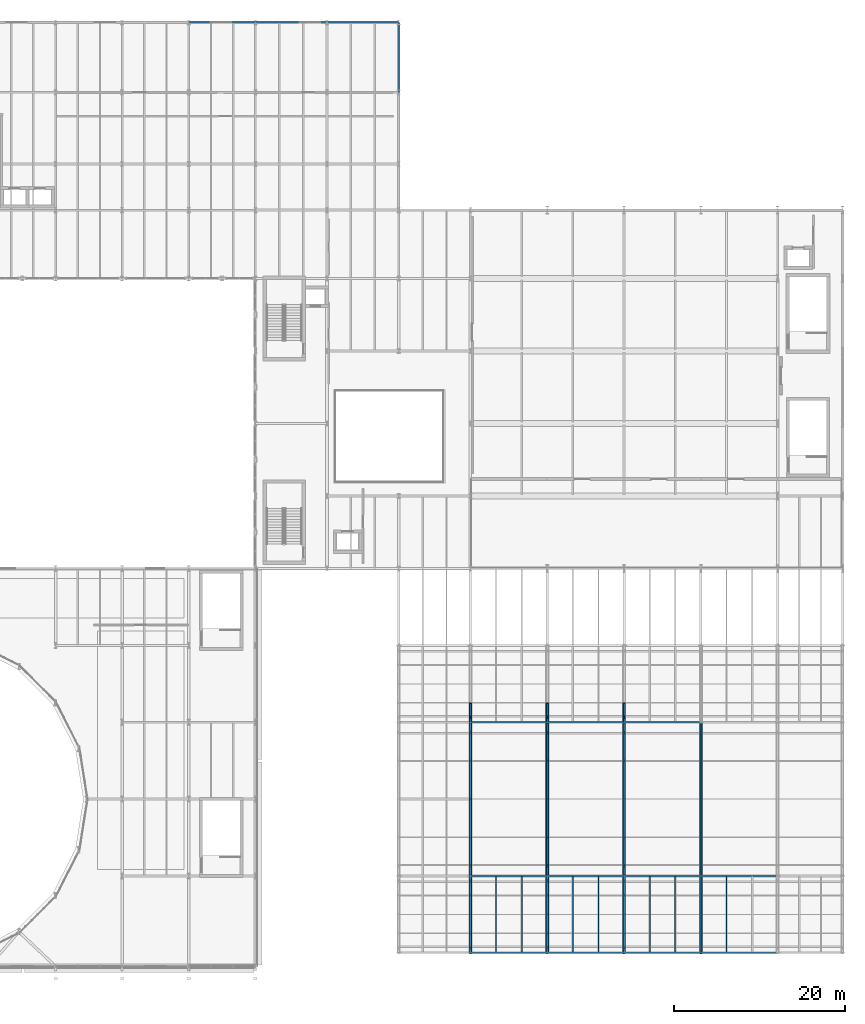
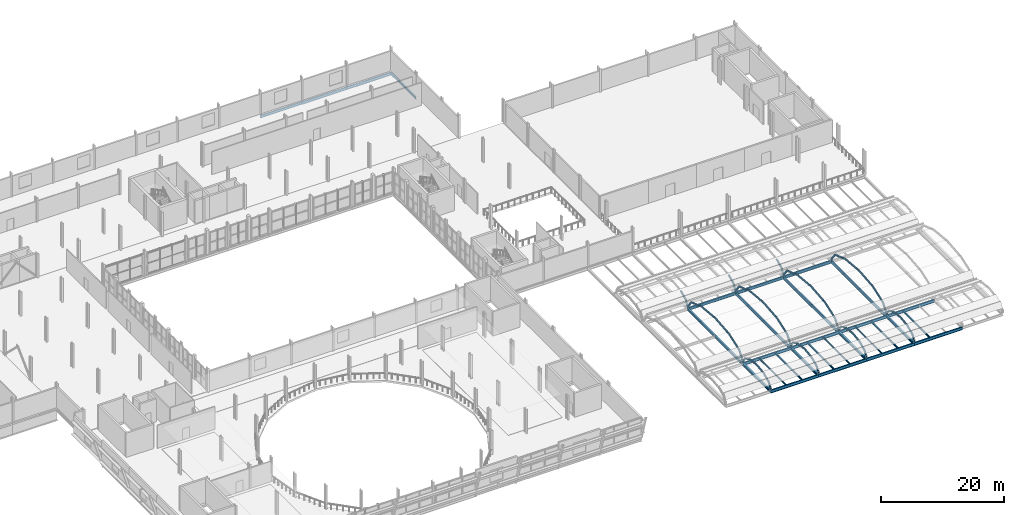
# One storey, part 33 of 63: 54 members, 31 beams.
"""IFC4 building model written with IfcOpenShell, lengths in metres."""

from ifc_helpers import new_model, si_unit, direction, frame, origin, origin_2d, place, context, subcontext, project, spatial, hollow_circle, i_section, extrude, material, material_profile, profile_set, type_object, element, save


model = new_model("IFC4")

# Units and contexts
model_context = context("Model", 3, precision=1e-05, world=origin(), true_north=direction((0.0, 1.0)))
body_context = subcontext(model_context, "Body", "Model", "MODEL_VIEW")
ifc_project = project(units=[si_unit("LENGTHUNIT", "METRE"), si_unit("AREAUNIT", "SQUARE_METRE"), si_unit("VOLUMEUNIT", "CUBIC_METRE"), si_unit("PLANEANGLEUNIT", "RADIAN"), si_unit("MASSUNIT", "GRAM", prefix="KILO")], contexts=[model_context])

# Site, building, storey
site_placement = place(None, origin())
site = spatial("IfcSite", under=ifc_project, at=site_placement, CompositionType="ELEMENT")
building_placement = place(site_placement, origin())
building = spatial("IfcBuilding", under=site, at=building_placement, Name="Sefraquen Railside Congress Hotel", CompositionType="ELEMENT")
storey_placement = place(building_placement, frame((0.0, 0.0, 11.39990234375)))
storey = spatial("IfcBuildingStorey", under=building, at=storey_placement, Name="L02", CompositionType="ELEMENT", Elevation=11.39990234375)

# Beams
ifc_material_1 = material(Name="Steel S355JR", Category="steel")
ifc_material_profile_1 = material_profile(ifc_material_1, i_section(OverallWidth=0.18994140625, OverallDepth=0.449951171875, WebThickness=0.009521484375, FlangeThickness=0.0146484375, FilletRadius=0.02099609375, at=origin_2d()), Name="IPE 450")
ifc_profile_set_1 = profile_set([ifc_material_profile_1], Name="Steel S355JR")
beam_type_1 = type_object("IfcBeamType", Name="TB-BM-450", PredefinedType="BEAM", material=ifc_profile_set_1)
beam_1_placement = place(storey_placement, frame((120.0, 109.800048828125, -0.574951171875), z_axis=(0.0, 1.0, 0.0), x_axis=(-1.0, 0.0, 0.0)))
element("IfcBeam", 1, at=beam_1_placement, inside=storey, type_object=beam_type_1, Name="Floor beam BM-L02-0953", PredefinedType="BEAM", context=body_context, shape_type="SweptSolid", body=[
    extrude(i_section(OverallWidth=0.18994140625, OverallDepth=0.449951171875, WebThickness=0.009521484375, FlangeThickness=0.0146484375, FilletRadius=0.02099609375, at=origin_2d()), origin(), (0.0, 0.0, 1.0), 8.199951171875),
])
ifc_material_profile_2 = material_profile(ifc_material_1, i_section(OverallWidth=0.199951171875, OverallDepth=0.5, WebThickness=0.01025390625, FlangeThickness=0.01611328125, FilletRadius=0.02099609375, at=origin_2d()), Name="IPE 500")
ifc_profile_set_2 = profile_set([ifc_material_profile_2], Name="Steel S355JR")
beam_type_2 = type_object("IfcBeamType", Name="TB-BM-500", PredefinedType="BEAM", material=ifc_profile_set_2)
beam_2_placement = place(storey_placement, frame((95.39990234375, 118.0, -0.599853515625), z_axis=(1.0, 0.0, 0.0), x_axis=(0.0, 1.0, 0.0)))
element("IfcBeam", 2, at=beam_2_placement, inside=storey, type_object=beam_type_2, Name="Primary girder BM-L02-0830", PredefinedType="BEAM", context=body_context, shape_type="SweptSolid", body=[
    extrude(i_section(OverallWidth=0.199951171875, OverallDepth=0.5, WebThickness=0.01025390625, FlangeThickness=0.01611328125, FilletRadius=0.02099609375, at=origin_2d()), origin(), (0.0, 0.0, 1.0), 7.800048828125),
])
ifc_material_profile_3 = material_profile(ifc_material_1, i_section(OverallWidth=0.300048828125, OverallDepth=0.489990234375, WebThickness=0.011962890625, FlangeThickness=0.02294921875, FilletRadius=0.027099609375, at=origin_2d()), Name="HEA 500")
ifc_profile_set_3 = profile_set([ifc_material_profile_3], Name="Steel S355JR")
beam_type_3 = type_object("IfcBeamType", Name="TB-GIR-500", PredefinedType="T_BEAM", material=ifc_profile_set_3)
for number, where, z_axis, x_axis, name in (
    (3, (128.39990234375, 9.0, -0.594970703125), (0.0, 1.0, 0.0), (-1.0, 0.0, 0.0), "Floor beam BM-L02-0954"),
    (4, (128.39990234375, 18.0, -0.594970703125), (0.0, 1.0, 0.0), (-1.0, 0.0, 0.0), "Floor beam BM-L02-0955"),
    (5, (128.39990234375, 27.0, -0.594970703125), (0.0, 1.0, 0.0), (-1.0, 0.0, 0.0), "Floor beam BM-L02-0956"),
    (6, (137.39990234375, 9.0, -0.594970703125), (0.0, 1.0, 0.0), (-1.0, 0.0, 0.0), "Floor beam BM-L02-0964"),
    (7, (146.39990234375, 9.0, -0.594970703125), (0.0, 1.0, 0.0), (-1.0, 0.0, 0.0), "Floor beam BM-L02-0968"),
    (8, (155.39990234375, 9.0, -0.594970703125), (0.0, 1.0, 0.0), (-1.0, 0.0, 0.0), "Floor beam BM-L02-0972"),
):
    element("IfcBeam", number, at=place(storey_placement, frame(where, z_axis=z_axis, x_axis=x_axis)), inside=storey, type_object=beam_type_3, Name=name, PredefinedType="T_BEAM", context=body_context, shape_type="SweptSolid", body=[
        extrude(i_section(OverallWidth=0.300048828125, OverallDepth=0.489990234375, WebThickness=0.011962890625, FlangeThickness=0.02294921875, FilletRadius=0.027099609375, at=origin_2d()), origin(), (0.0, 0.0, 1.0), 9.0),
    ])
ifc_material_profile_4 = material_profile(ifc_material_1, i_section(OverallWidth=0.2099609375, OverallDepth=0.550048828125, WebThickness=0.010986328125, FlangeThickness=0.01708984375, FilletRadius=0.02392578125, at=origin_2d()), Name="IPE 550")
ifc_profile_set_4 = profile_set([ifc_material_profile_4], Name="Steel S355JR")
beam_type_4 = type_object("IfcBeamType", Name="TB-GIR-550", PredefinedType="T_BEAM", material=ifc_profile_set_4)
beam_3_placement = place(storey_placement, frame((103.199951171875, 118.0, -0.625), z_axis=(1.0, 0.0, 0.0), x_axis=(0.0, 1.0, 0.0)))
element("IfcBeam", 9, at=beam_3_placement, inside=storey, type_object=beam_type_4, Name="Primary girder BM-L02-0831", PredefinedType="T_BEAM", context=body_context, shape_type="SweptSolid", body=[
    extrude(i_section(OverallWidth=0.2099609375, OverallDepth=0.550048828125, WebThickness=0.010986328125, FlangeThickness=0.01708984375, FilletRadius=0.02392578125, at=origin_2d()), origin(), (0.0, 0.0, 1.0), 8.400146484375),
])
beam_4_placement = place(storey_placement, frame((111.60009765625, 118.0, -0.625), z_axis=(1.0, 0.0, 0.0), x_axis=(0.0, 1.0, 0.0)))
element("IfcBeam", 10, at=beam_4_placement, inside=storey, type_object=beam_type_4, Name="Primary girder BM-L02-0832", PredefinedType="T_BEAM", context=body_context, shape_type="SweptSolid", body=[
    extrude(i_section(OverallWidth=0.2099609375, OverallDepth=0.550048828125, WebThickness=0.010986328125, FlangeThickness=0.01708984375, FilletRadius=0.02392578125, at=origin_2d()), origin(), (0.0, 0.0, 1.0), 8.39990234375),
])
ifc_material_profile_5 = material_profile(ifc_material_1, i_section(OverallWidth=0.219970703125, OverallDepth=0.60009765625, WebThickness=0.011962890625, FlangeThickness=0.01904296875, FilletRadius=0.02392578125, at=origin_2d()), Name="IPE 600")
ifc_profile_set_5 = profile_set([ifc_material_profile_5], Name="Steel S355JR")
beam_type_5 = type_object("IfcBeamType", Name="TB-GIR-600", PredefinedType="T_BEAM", material=ifc_profile_set_5)
for number, where, z_axis, x_axis, name in (
    (11, (128.39990234375, 9.0, -0.64990234375), (1.0, 0.0, 0.0), (0.0, 1.0, 0.0), "Thermal Spa vault tension ring girder BM-L02-0676"),
    (12, (137.39990234375, 9.0, -0.64990234375), (1.0, 0.0, 0.0), (0.0, 1.0, 0.0), "Thermal Spa vault tension ring girder BM-L02-0677"),
    (13, (146.39990234375, 9.0, -0.64990234375), (1.0, 0.0, 0.0), (0.0, 1.0, 0.0), "Thermal Spa vault tension ring girder BM-L02-0678"),
    (14, (155.39990234375, 9.0, -0.64990234375), (1.0, 0.0, 0.0), (0.0, 1.0, 0.0), "Thermal Spa vault tension ring girder BM-L02-0679"),
    (15, (128.39990234375, 18.0, -0.64990234375), (1.0, 0.0, 0.0), (0.0, 1.0, 0.0), "Thermal Spa vault tension ring girder BM-L02-0685"),
    (16, (137.39990234375, 18.0, -0.64990234375), (1.0, 0.0, 0.0), (0.0, 1.0, 0.0), "Thermal Spa vault tension ring girder BM-L02-0686"),
    (17, (146.39990234375, 18.0, -0.64990234375), (1.0, 0.0, 0.0), (0.0, 1.0, 0.0), "Thermal Spa vault tension ring girder BM-L02-0687"),
    (18, (155.39990234375, 18.0, -0.64990234375), (1.0, 0.0, 0.0), (0.0, 1.0, 0.0), "Thermal Spa vault tension ring girder BM-L02-0688"),
    (19, (128.39990234375, 36.0, -0.64990234375), (1.0, 0.0, 0.0), (0.0, 1.0, 0.0), "Thermal Spa vault tension ring girder BM-L02-0700"),
    (20, (137.39990234375, 36.0, -0.64990234375), (1.0, 0.0, 0.0), (0.0, 1.0, 0.0), "Thermal Spa vault tension ring girder BM-L02-0701"),
    (21, (146.39990234375, 36.0, -0.64990234375), (1.0, 0.0, 0.0), (0.0, 1.0, 0.0), "Thermal Spa vault tension ring girder BM-L02-0702"),
):
    element("IfcBeam", number, at=place(storey_placement, frame(where, z_axis=z_axis, x_axis=x_axis)), inside=storey, type_object=beam_type_5, Name=name, PredefinedType="T_BEAM", context=body_context, shape_type="SweptSolid", body=[
        extrude(i_section(OverallWidth=0.219970703125, OverallDepth=0.60009765625, WebThickness=0.011962890625, FlangeThickness=0.01904296875, FilletRadius=0.02392578125, at=origin_2d()), origin(), (0.0, 0.0, 1.0), 9.0),
    ])
for number, where, z_axis, x_axis, name in (
    (22, (137.39990234375, 18.0, -0.64990234375), (0.0, 1.0, 0.0), (-1.0, 0.0, 0.0), "Floor beam BM-L02-0965"),
    (23, (146.39990234375, 18.0, -0.64990234375), (0.0, 1.0, 0.0), (-1.0, 0.0, 0.0), "Floor beam BM-L02-0969"),
    (24, (155.39990234375, 18.0, -0.64990234375), (0.0, 1.0, 0.0), (-1.0, 0.0, 0.0), "Floor beam BM-L02-0973"),
):
    element("IfcBeam", number, at=place(storey_placement, frame(where, z_axis=z_axis, x_axis=x_axis)), inside=storey, type_object=beam_type_5, Name=name, PredefinedType="T_BEAM", context=body_context, shape_type="SweptSolid", body=[
        extrude(i_section(OverallWidth=0.219970703125, OverallDepth=0.60009765625, WebThickness=0.011962890625, FlangeThickness=0.01904296875, FilletRadius=0.02392578125, at=origin_2d()), origin(), (0.0, 0.0, 1.0), 18.0),
    ])
ifc_material_profile_6 = material_profile(ifc_material_1, i_section(OverallWidth=0.159912109375, OverallDepth=0.330078125, WebThickness=0.007568359375, FlangeThickness=0.011474609375, FilletRadius=0.01806640625, at=origin_2d()), Name="IPE 330")
ifc_profile_set_6 = profile_set([ifc_material_profile_6], Name="Steel S355JR")
beam_type_6 = type_object("IfcBeamType", Name="TB-JST-330", PredefinedType="JOIST", material=ifc_profile_set_6)
for number, where, z_axis, x_axis, name in (
    (25, (131.39990234375, 9.090087890625, -0.514892578125), (0.0, 1.0, 0.0), (-1.0, 0.0, 0.0), "Composite floor joist BM-L02-J0600"),
    (26, (134.39990234375, 9.090087890625, -0.514892578125), (0.0, 1.0, 0.0), (-1.0, 0.0, 0.0), "Composite floor joist BM-L02-J0601"),
    (27, (140.39990234375, 9.090087890625, -0.514892578125), (0.0, 1.0, 0.0), (-1.0, 0.0, 0.0), "Composite floor joist BM-L02-J0606"),
    (28, (143.39990234375, 9.090087890625, -0.514892578125), (0.0, 1.0, 0.0), (-1.0, 0.0, 0.0), "Composite floor joist BM-L02-J0607"),
    (29, (149.39990234375, 9.090087890625, -0.514892578125), (0.0, 1.0, 0.0), (-1.0, 0.0, 0.0), "Composite floor joist BM-L02-J0612"),
    (30, (152.39990234375, 9.090087890625, -0.514892578125), (0.0, 1.0, 0.0), (-1.0, 0.0, 0.0), "Composite floor joist BM-L02-J0613"),
    (31, (158.39990234375, 9.090087890625, -0.514892578125), (0.0, 1.0, 0.0), (-1.0, 0.0, 0.0), "Composite floor joist BM-L02-J0618"),
):
    element("IfcBeam", number, at=place(storey_placement, frame(where, z_axis=z_axis, x_axis=x_axis)), inside=storey, type_object=beam_type_6, Name=name, PredefinedType="JOIST", context=body_context, shape_type="SweptSolid", body=[
        extrude(i_section(OverallWidth=0.159912109375, OverallDepth=0.330078125, WebThickness=0.007568359375, FlangeThickness=0.011474609375, FilletRadius=0.01806640625, at=origin_2d()), origin(), (0.0, 0.0, 1.0), 8.81982421875),
    ])

# Members
ifc_material_2 = material(Name="Steel S355J2", Category="steel")
ifc_material_profile_7 = material_profile(ifc_material_2, hollow_circle(Radius=0.177734375, WallThickness=0.01611328125, at=origin_2d()), Name="CHS 355.6x16")
ifc_profile_set_7 = profile_set([ifc_material_profile_7], Name="Steel S355J2")
member_type = type_object("IfcMemberType", Name="TM-VRAF-355", PredefinedType="RAFTER", material=ifc_profile_set_7)
member_1_placement = place(storey_placement, frame((128.39990234375, 9.0, -0.18994140625), z_axis=(0.0, 0.4949942083, 0.868896273297), x_axis=(-1.0, 0.0, 0.0)))
element("IfcMember", 32, at=member_1_placement, inside=storey, type_object=member_type, Name="Thermal Spa vault 1 arched rib 2.1", PredefinedType="RAFTER", context=body_context, shape_type="SweptSolid", body=[
    extrude(hollow_circle(Radius=0.177734375, WallThickness=0.01611328125, at=origin_2d()), origin(), (0.0, 0.0, 1.0), 1.2177734375),
])
member_2_placement = place(storey_placement, frame((128.39990234375, 9.602783203125, 0.8681640625), z_axis=(0.0, 0.906214019908, 0.422819287783), x_axis=(-1.0, 0.0, 0.0)))
element("IfcMember", 33, at=member_2_placement, inside=storey, type_object=member_type, Name="Thermal Spa vault 1 arched rib 2.2", PredefinedType="RAFTER", context=body_context, shape_type="SweptSolid", body=[
    extrude(hollow_circle(Radius=0.177734375, WallThickness=0.01611328125, at=origin_2d()), origin(), (0.0, 0.0, 1.0), 1.817626953125),
])
for number, where, z_axis, x_axis, name in (
    (34, (128.39990234375, 11.25, 1.63671875), (0.0, 0.992264619654, 0.124140745059), (-1.0, 0.0, 0.0), "Thermal Spa vault 1 arched rib 2.3"),
    (35, (128.39990234375, 13.5, 1.918212890625), (0.0, 0.992264619654, -0.124140745059), (-1.0, 0.0, 0.0), "Thermal Spa vault 1 arched rib 2.4"),
):
    element("IfcMember", number, at=place(storey_placement, frame(where, z_axis=z_axis, x_axis=x_axis)), inside=storey, type_object=member_type, Name=name, PredefinedType="RAFTER", context=body_context, shape_type="SweptSolid", body=[
        extrude(hollow_circle(Radius=0.177734375, WallThickness=0.01611328125, at=origin_2d()), origin(), (0.0, 0.0, 1.0), 2.267578125),
    ])
member_3_placement = place(storey_placement, frame((128.39990234375, 15.75, 1.63671875), z_axis=(0.0, 0.906214019908, -0.422819287783), x_axis=(-1.0, 0.0, 0.0)))
element("IfcMember", 36, at=member_3_placement, inside=storey, type_object=member_type, Name="Thermal Spa vault 1 arched rib 2.5", PredefinedType="RAFTER", context=body_context, shape_type="SweptSolid", body=[
    extrude(hollow_circle(Radius=0.177734375, WallThickness=0.01611328125, at=origin_2d()), origin(), (0.0, 0.0, 1.0), 1.817626953125),
])
for number, where, z_axis, x_axis, name in (
    (37, (128.39990234375, 17.397216796875, 0.8681640625), (0.0, 0.4949942083, -0.868896273297), (-1.0, 0.0, 0.0), "Thermal Spa vault 1 arched rib 2.6"),
    (38, (137.39990234375, 9.0, -0.18994140625), (0.0, 0.4949942083, 0.868896273297), (-1.0, 0.0, 0.0), "Thermal Spa vault 1 arched rib 3.1"),
):
    element("IfcMember", number, at=place(storey_placement, frame(where, z_axis=z_axis, x_axis=x_axis)), inside=storey, type_object=member_type, Name=name, PredefinedType="RAFTER", context=body_context, shape_type="SweptSolid", body=[
        extrude(hollow_circle(Radius=0.177734375, WallThickness=0.01611328125, at=origin_2d()), origin(), (0.0, 0.0, 1.0), 1.2177734375),
    ])
member_4_placement = place(storey_placement, frame((137.39990234375, 9.602783203125, 0.8681640625), z_axis=(0.0, 0.906214019908, 0.422819287783), x_axis=(-1.0, 0.0, 0.0)))
element("IfcMember", 39, at=member_4_placement, inside=storey, type_object=member_type, Name="Thermal Spa vault 1 arched rib 3.2", PredefinedType="RAFTER", context=body_context, shape_type="SweptSolid", body=[
    extrude(hollow_circle(Radius=0.177734375, WallThickness=0.01611328125, at=origin_2d()), origin(), (0.0, 0.0, 1.0), 1.817626953125),
])
for number, where, z_axis, x_axis, name in (
    (40, (137.39990234375, 11.25, 1.63671875), (0.0, 0.992264619654, 0.124140745059), (-1.0, 0.0, 0.0), "Thermal Spa vault 1 arched rib 3.3"),
    (41, (137.39990234375, 13.5, 1.918212890625), (0.0, 0.992264619654, -0.124140745059), (-1.0, 0.0, 0.0), "Thermal Spa vault 1 arched rib 3.4"),
):
    element("IfcMember", number, at=place(storey_placement, frame(where, z_axis=z_axis, x_axis=x_axis)), inside=storey, type_object=member_type, Name=name, PredefinedType="RAFTER", context=body_context, shape_type="SweptSolid", body=[
        extrude(hollow_circle(Radius=0.177734375, WallThickness=0.01611328125, at=origin_2d()), origin(), (0.0, 0.0, 1.0), 2.267578125),
    ])
member_5_placement = place(storey_placement, frame((137.39990234375, 15.75, 1.63671875), z_axis=(0.0, 0.906214019908, -0.422819287783), x_axis=(-1.0, 0.0, 0.0)))
element("IfcMember", 42, at=member_5_placement, inside=storey, type_object=member_type, Name="Thermal Spa vault 1 arched rib 3.5", PredefinedType="RAFTER", context=body_context, shape_type="SweptSolid", body=[
    extrude(hollow_circle(Radius=0.177734375, WallThickness=0.01611328125, at=origin_2d()), origin(), (0.0, 0.0, 1.0), 1.817626953125),
])
for number, where, z_axis, x_axis, name in (
    (43, (137.39990234375, 17.397216796875, 0.8681640625), (0.0, 0.4949942083, -0.868896273297), (-1.0, 0.0, 0.0), "Thermal Spa vault 1 arched rib 3.6"),
    (44, (146.39990234375, 9.0, -0.18994140625), (0.0, 0.4949942083, 0.868896273297), (-1.0, 0.0, 0.0), "Thermal Spa vault 1 arched rib 4.1"),
):
    element("IfcMember", number, at=place(storey_placement, frame(where, z_axis=z_axis, x_axis=x_axis)), inside=storey, type_object=member_type, Name=name, PredefinedType="RAFTER", context=body_context, shape_type="SweptSolid", body=[
        extrude(hollow_circle(Radius=0.177734375, WallThickness=0.01611328125, at=origin_2d()), origin(), (0.0, 0.0, 1.0), 1.2177734375),
    ])
member_6_placement = place(storey_placement, frame((146.39990234375, 9.602783203125, 0.8681640625), z_axis=(0.0, 0.906214019908, 0.422819287783), x_axis=(-1.0, 0.0, 0.0)))
element("IfcMember", 45, at=member_6_placement, inside=storey, type_object=member_type, Name="Thermal Spa vault 1 arched rib 4.2", PredefinedType="RAFTER", context=body_context, shape_type="SweptSolid", body=[
    extrude(hollow_circle(Radius=0.177734375, WallThickness=0.01611328125, at=origin_2d()), origin(), (0.0, 0.0, 1.0), 1.817626953125),
])
for number, where, z_axis, x_axis, name in (
    (46, (146.39990234375, 11.25, 1.63671875), (0.0, 0.992264619654, 0.124140745059), (-1.0, 0.0, 0.0), "Thermal Spa vault 1 arched rib 4.3"),
    (47, (146.39990234375, 13.5, 1.918212890625), (0.0, 0.992264619654, -0.124140745059), (-1.0, 0.0, 0.0), "Thermal Spa vault 1 arched rib 4.4"),
):
    element("IfcMember", number, at=place(storey_placement, frame(where, z_axis=z_axis, x_axis=x_axis)), inside=storey, type_object=member_type, Name=name, PredefinedType="RAFTER", context=body_context, shape_type="SweptSolid", body=[
        extrude(hollow_circle(Radius=0.177734375, WallThickness=0.01611328125, at=origin_2d()), origin(), (0.0, 0.0, 1.0), 2.267578125),
    ])
member_7_placement = place(storey_placement, frame((146.39990234375, 15.75, 1.63671875), z_axis=(0.0, 0.906214019908, -0.422819287783), x_axis=(-1.0, 0.0, 0.0)))
element("IfcMember", 48, at=member_7_placement, inside=storey, type_object=member_type, Name="Thermal Spa vault 1 arched rib 4.5", PredefinedType="RAFTER", context=body_context, shape_type="SweptSolid", body=[
    extrude(hollow_circle(Radius=0.177734375, WallThickness=0.01611328125, at=origin_2d()), origin(), (0.0, 0.0, 1.0), 1.817626953125),
])
for number, where, z_axis, x_axis, name in (
    (49, (146.39990234375, 17.397216796875, 0.8681640625), (0.0, 0.4949942083, -0.868896273297), (-1.0, 0.0, 0.0), "Thermal Spa vault 1 arched rib 4.6"),
    (50, (155.39990234375, 9.0, -0.18994140625), (0.0, 0.4949942083, 0.868896273297), (-1.0, 0.0, 0.0), "Thermal Spa vault 1 arched rib 5.1"),
):
    element("IfcMember", number, at=place(storey_placement, frame(where, z_axis=z_axis, x_axis=x_axis)), inside=storey, type_object=member_type, Name=name, PredefinedType="RAFTER", context=body_context, shape_type="SweptSolid", body=[
        extrude(hollow_circle(Radius=0.177734375, WallThickness=0.01611328125, at=origin_2d()), origin(), (0.0, 0.0, 1.0), 1.2177734375),
    ])
member_8_placement = place(storey_placement, frame((155.39990234375, 9.602783203125, 0.8681640625), z_axis=(0.0, 0.906214019908, 0.422819287783), x_axis=(-1.0, 0.0, 0.0)))
element("IfcMember", 51, at=member_8_placement, inside=storey, type_object=member_type, Name="Thermal Spa vault 1 arched rib 5.2", PredefinedType="RAFTER", context=body_context, shape_type="SweptSolid", body=[
    extrude(hollow_circle(Radius=0.177734375, WallThickness=0.01611328125, at=origin_2d()), origin(), (0.0, 0.0, 1.0), 1.817626953125),
])
for number, where, z_axis, x_axis, name in (
    (52, (155.39990234375, 11.25, 1.63671875), (0.0, 0.992264619654, 0.124140745059), (-1.0, 0.0, 0.0), "Thermal Spa vault 1 arched rib 5.3"),
    (53, (155.39990234375, 13.5, 1.918212890625), (0.0, 0.992264619654, -0.124140745059), (-1.0, 0.0, 0.0), "Thermal Spa vault 1 arched rib 5.4"),
):
    element("IfcMember", number, at=place(storey_placement, frame(where, z_axis=z_axis, x_axis=x_axis)), inside=storey, type_object=member_type, Name=name, PredefinedType="RAFTER", context=body_context, shape_type="SweptSolid", body=[
        extrude(hollow_circle(Radius=0.177734375, WallThickness=0.01611328125, at=origin_2d()), origin(), (0.0, 0.0, 1.0), 2.267578125),
    ])
member_9_placement = place(storey_placement, frame((155.39990234375, 15.75, 1.63671875), z_axis=(0.0, 0.906214019908, -0.422819287783), x_axis=(-1.0, 0.0, 0.0)))
element("IfcMember", 54, at=member_9_placement, inside=storey, type_object=member_type, Name="Thermal Spa vault 1 arched rib 5.5", PredefinedType="RAFTER", context=body_context, shape_type="SweptSolid", body=[
    extrude(hollow_circle(Radius=0.177734375, WallThickness=0.01611328125, at=origin_2d()), origin(), (0.0, 0.0, 1.0), 1.817626953125),
])
member_10_placement = place(storey_placement, frame((155.39990234375, 17.397216796875, 0.8681640625), z_axis=(0.0, 0.4949942083, -0.868896273297), x_axis=(-1.0, 0.0, 0.0)))
element("IfcMember", 55, at=member_10_placement, inside=storey, type_object=member_type, Name="Thermal Spa vault 1 arched rib 5.6", PredefinedType="RAFTER", context=body_context, shape_type="SweptSolid", body=[
    extrude(hollow_circle(Radius=0.177734375, WallThickness=0.01611328125, at=origin_2d()), origin(), (0.0, 0.0, 1.0), 1.2177734375),
])
member_11_placement = place(storey_placement, frame((128.39990234375, 18.0, -0.18994140625), z_axis=(0.0, 0.599902825649, 0.800072871543), x_axis=(-1.0, 0.0, 0.0)))
element("IfcMember", 56, at=member_11_placement, inside=storey, type_object=member_type, Name="Thermal Spa vault 2 arched rib 2.1", PredefinedType="RAFTER", context=body_context, shape_type="SweptSolid", body=[
    extrude(hollow_circle(Radius=0.177734375, WallThickness=0.01611328125, at=origin_2d()), origin(), (0.0, 0.0, 1.0), 2.010009765625),
])
member_12_placement = place(storey_placement, frame((128.39990234375, 19.205810546875, 1.418212890625), z_axis=(0.0, 0.942225955729, 0.334977981889), x_axis=(-1.0, 0.0, 0.0)))
element("IfcMember", 57, at=member_12_placement, inside=storey, type_object=member_type, Name="Thermal Spa vault 2 arched rib 2.2", PredefinedType="RAFTER", context=body_context, shape_type="SweptSolid", body=[
    extrude(hollow_circle(Radius=0.177734375, WallThickness=0.01611328125, at=origin_2d()), origin(), (0.0, 0.0, 1.0), 3.49609375),
])
for number, where, z_axis, x_axis, name in (
    (58, (128.39990234375, 22.5, 2.58935546875), (0.0, 0.995492559283, 0.094839677414), (-1.0, 0.0, 0.0), "Thermal Spa vault 2 arched rib 2.3"),
    (59, (128.39990234375, 27.0, 3.01806640625), (0.0, 0.995492559283, -0.094839677414), (-1.0, 0.0, 0.0), "Thermal Spa vault 2 arched rib 2.4"),
):
    element("IfcMember", number, at=place(storey_placement, frame(where, z_axis=z_axis, x_axis=x_axis)), inside=storey, type_object=member_type, Name=name, PredefinedType="RAFTER", context=body_context, shape_type="SweptSolid", body=[
        extrude(hollow_circle(Radius=0.177734375, WallThickness=0.01611328125, at=origin_2d()), origin(), (0.0, 0.0, 1.0), 4.520263671875),
    ])
member_13_placement = place(storey_placement, frame((128.39990234375, 31.5, 2.58935546875), z_axis=(0.0, 0.942225955729, -0.334977981889), x_axis=(-1.0, 0.0, 0.0)))
element("IfcMember", 60, at=member_13_placement, inside=storey, type_object=member_type, Name="Thermal Spa vault 2 arched rib 2.5", PredefinedType="RAFTER", context=body_context, shape_type="SweptSolid", body=[
    extrude(hollow_circle(Radius=0.177734375, WallThickness=0.01611328125, at=origin_2d()), origin(), (0.0, 0.0, 1.0), 3.49609375),
])
for number, where, z_axis, x_axis, name in (
    (61, (128.39990234375, 34.794189453125, 1.418212890625), (0.0, 0.599902825649, -0.800072871543), (-1.0, 0.0, 0.0), "Thermal Spa vault 2 arched rib 2.6"),
    (62, (137.39990234375, 18.0, -0.18994140625), (0.0, 0.599902825649, 0.800072871543), (-1.0, 0.0, 0.0), "Thermal Spa vault 2 arched rib 3.1"),
):
    element("IfcMember", number, at=place(storey_placement, frame(where, z_axis=z_axis, x_axis=x_axis)), inside=storey, type_object=member_type, Name=name, PredefinedType="RAFTER", context=body_context, shape_type="SweptSolid", body=[
        extrude(hollow_circle(Radius=0.177734375, WallThickness=0.01611328125, at=origin_2d()), origin(), (0.0, 0.0, 1.0), 2.010009765625),
    ])
member_14_placement = place(storey_placement, frame((137.39990234375, 19.205810546875, 1.418212890625), z_axis=(0.0, 0.942225955729, 0.334977981889), x_axis=(-1.0, 0.0, 0.0)))
element("IfcMember", 63, at=member_14_placement, inside=storey, type_object=member_type, Name="Thermal Spa vault 2 arched rib 3.2", PredefinedType="RAFTER", context=body_context, shape_type="SweptSolid", body=[
    extrude(hollow_circle(Radius=0.177734375, WallThickness=0.01611328125, at=origin_2d()), origin(), (0.0, 0.0, 1.0), 3.49609375),
])
for number, where, z_axis, x_axis, name in (
    (64, (137.39990234375, 22.5, 2.58935546875), (0.0, 0.995492559283, 0.094839677414), (-1.0, 0.0, 0.0), "Thermal Spa vault 2 arched rib 3.3"),
    (65, (137.39990234375, 27.0, 3.01806640625), (0.0, 0.995492559283, -0.094839677414), (-1.0, 0.0, 0.0), "Thermal Spa vault 2 arched rib 3.4"),
):
    element("IfcMember", number, at=place(storey_placement, frame(where, z_axis=z_axis, x_axis=x_axis)), inside=storey, type_object=member_type, Name=name, PredefinedType="RAFTER", context=body_context, shape_type="SweptSolid", body=[
        extrude(hollow_circle(Radius=0.177734375, WallThickness=0.01611328125, at=origin_2d()), origin(), (0.0, 0.0, 1.0), 4.520263671875),
    ])
member_15_placement = place(storey_placement, frame((137.39990234375, 31.5, 2.58935546875), z_axis=(0.0, 0.942225955729, -0.334977981889), x_axis=(-1.0, 0.0, 0.0)))
element("IfcMember", 66, at=member_15_placement, inside=storey, type_object=member_type, Name="Thermal Spa vault 2 arched rib 3.5", PredefinedType="RAFTER", context=body_context, shape_type="SweptSolid", body=[
    extrude(hollow_circle(Radius=0.177734375, WallThickness=0.01611328125, at=origin_2d()), origin(), (0.0, 0.0, 1.0), 3.49609375),
])
for number, where, z_axis, x_axis, name in (
    (67, (137.39990234375, 34.794189453125, 1.418212890625), (0.0, 0.599902825649, -0.800072871543), (-1.0, 0.0, 0.0), "Thermal Spa vault 2 arched rib 3.6"),
    (68, (146.39990234375, 18.0, -0.18994140625), (0.0, 0.599902825649, 0.800072871543), (-1.0, 0.0, 0.0), "Thermal Spa vault 2 arched rib 4.1"),
):
    element("IfcMember", number, at=place(storey_placement, frame(where, z_axis=z_axis, x_axis=x_axis)), inside=storey, type_object=member_type, Name=name, PredefinedType="RAFTER", context=body_context, shape_type="SweptSolid", body=[
        extrude(hollow_circle(Radius=0.177734375, WallThickness=0.01611328125, at=origin_2d()), origin(), (0.0, 0.0, 1.0), 2.010009765625),
    ])
member_16_placement = place(storey_placement, frame((146.39990234375, 19.205810546875, 1.418212890625), z_axis=(0.0, 0.942225955729, 0.334977981889), x_axis=(-1.0, 0.0, 0.0)))
element("IfcMember", 69, at=member_16_placement, inside=storey, type_object=member_type, Name="Thermal Spa vault 2 arched rib 4.2", PredefinedType="RAFTER", context=body_context, shape_type="SweptSolid", body=[
    extrude(hollow_circle(Radius=0.177734375, WallThickness=0.01611328125, at=origin_2d()), origin(), (0.0, 0.0, 1.0), 3.49609375),
])
for number, where, z_axis, x_axis, name in (
    (70, (146.39990234375, 22.5, 2.58935546875), (0.0, 0.995492559283, 0.094839677414), (-1.0, 0.0, 0.0), "Thermal Spa vault 2 arched rib 4.3"),
    (71, (146.39990234375, 27.0, 3.01806640625), (0.0, 0.995492559283, -0.094839677414), (-1.0, 0.0, 0.0), "Thermal Spa vault 2 arched rib 4.4"),
):
    element("IfcMember", number, at=place(storey_placement, frame(where, z_axis=z_axis, x_axis=x_axis)), inside=storey, type_object=member_type, Name=name, PredefinedType="RAFTER", context=body_context, shape_type="SweptSolid", body=[
        extrude(hollow_circle(Radius=0.177734375, WallThickness=0.01611328125, at=origin_2d()), origin(), (0.0, 0.0, 1.0), 4.520263671875),
    ])
member_17_placement = place(storey_placement, frame((146.39990234375, 31.5, 2.58935546875), z_axis=(0.0, 0.942225955729, -0.334977981889), x_axis=(-1.0, 0.0, 0.0)))
element("IfcMember", 72, at=member_17_placement, inside=storey, type_object=member_type, Name="Thermal Spa vault 2 arched rib 4.5", PredefinedType="RAFTER", context=body_context, shape_type="SweptSolid", body=[
    extrude(hollow_circle(Radius=0.177734375, WallThickness=0.01611328125, at=origin_2d()), origin(), (0.0, 0.0, 1.0), 3.49609375),
])
for number, where, z_axis, x_axis, name in (
    (73, (146.39990234375, 34.794189453125, 1.418212890625), (0.0, 0.599902825649, -0.800072871543), (-1.0, 0.0, 0.0), "Thermal Spa vault 2 arched rib 4.6"),
    (74, (155.39990234375, 18.0, -0.18994140625), (0.0, 0.599902825649, 0.800072871543), (-1.0, 0.0, 0.0), "Thermal Spa vault 2 arched rib 5.1"),
):
    element("IfcMember", number, at=place(storey_placement, frame(where, z_axis=z_axis, x_axis=x_axis)), inside=storey, type_object=member_type, Name=name, PredefinedType="RAFTER", context=body_context, shape_type="SweptSolid", body=[
        extrude(hollow_circle(Radius=0.177734375, WallThickness=0.01611328125, at=origin_2d()), origin(), (0.0, 0.0, 1.0), 2.010009765625),
    ])
member_18_placement = place(storey_placement, frame((155.39990234375, 19.205810546875, 1.418212890625), z_axis=(0.0, 0.942225955729, 0.334977981889), x_axis=(-1.0, 0.0, 0.0)))
element("IfcMember", 75, at=member_18_placement, inside=storey, type_object=member_type, Name="Thermal Spa vault 2 arched rib 5.2", PredefinedType="RAFTER", context=body_context, shape_type="SweptSolid", body=[
    extrude(hollow_circle(Radius=0.177734375, WallThickness=0.01611328125, at=origin_2d()), origin(), (0.0, 0.0, 1.0), 3.49609375),
])
for number, where, z_axis, x_axis, name in (
    (76, (155.39990234375, 22.5, 2.58935546875), (0.0, 0.995492559283, 0.094839677414), (-1.0, 0.0, 0.0), "Thermal Spa vault 2 arched rib 5.3"),
    (77, (155.39990234375, 27.0, 3.01806640625), (0.0, 0.995492559283, -0.094839677414), (-1.0, 0.0, 0.0), "Thermal Spa vault 2 arched rib 5.4"),
):
    element("IfcMember", number, at=place(storey_placement, frame(where, z_axis=z_axis, x_axis=x_axis)), inside=storey, type_object=member_type, Name=name, PredefinedType="RAFTER", context=body_context, shape_type="SweptSolid", body=[
        extrude(hollow_circle(Radius=0.177734375, WallThickness=0.01611328125, at=origin_2d()), origin(), (0.0, 0.0, 1.0), 4.520263671875),
    ])
member_19_placement = place(storey_placement, frame((155.39990234375, 31.5, 2.58935546875), z_axis=(0.0, 0.942225955729, -0.334977981889), x_axis=(-1.0, 0.0, 0.0)))
element("IfcMember", 78, at=member_19_placement, inside=storey, type_object=member_type, Name="Thermal Spa vault 2 arched rib 5.5", PredefinedType="RAFTER", context=body_context, shape_type="SweptSolid", body=[
    extrude(hollow_circle(Radius=0.177734375, WallThickness=0.01611328125, at=origin_2d()), origin(), (0.0, 0.0, 1.0), 3.49609375),
])
member_20_placement = place(storey_placement, frame((155.39990234375, 34.794189453125, 1.418212890625), z_axis=(0.0, 0.599902825649, -0.800072871543), x_axis=(-1.0, 0.0, 0.0)))
element("IfcMember", 79, at=member_20_placement, inside=storey, type_object=member_type, Name="Thermal Spa vault 2 arched rib 5.6", PredefinedType="RAFTER", context=body_context, shape_type="SweptSolid", body=[
    extrude(hollow_circle(Radius=0.177734375, WallThickness=0.01611328125, at=origin_2d()), origin(), (0.0, 0.0, 1.0), 2.010009765625),
])
member_21_placement = place(storey_placement, frame((128.39990234375, 36.0, -0.18994140625), z_axis=(0.0, 0.4949942083, 0.868896273297), x_axis=(-1.0, 0.0, 0.0)))
element("IfcMember", 80, at=member_21_placement, inside=storey, type_object=member_type, Name="Thermal Spa vault 3 arched rib 2.1", PredefinedType="RAFTER", context=body_context, shape_type="SweptSolid", body=[
    extrude(hollow_circle(Radius=0.177734375, WallThickness=0.01611328125, at=origin_2d()), origin(), (0.0, 0.0, 1.0), 1.2177734375),
])
member_22_placement = place(storey_placement, frame((128.39990234375, 36.602783203125, 0.8681640625), z_axis=(0.0, 0.906214019908, 0.422819287783), x_axis=(-1.0, 0.0, 0.0)))
element("IfcMember", 81, at=member_22_placement, inside=storey, type_object=member_type, Name="Thermal Spa vault 3 arched rib 2.2", PredefinedType="RAFTER", context=body_context, shape_type="SweptSolid", body=[
    extrude(hollow_circle(Radius=0.177734375, WallThickness=0.01611328125, at=origin_2d()), origin(), (0.0, 0.0, 1.0), 1.817626953125),
])
member_23_placement = place(storey_placement, frame((137.39990234375, 36.0, -0.18994140625), z_axis=(0.0, 0.4949942083, 0.868896273297), x_axis=(-1.0, 0.0, 0.0)))
element("IfcMember", 82, at=member_23_placement, inside=storey, type_object=member_type, Name="Thermal Spa vault 3 arched rib 3.1", PredefinedType="RAFTER", context=body_context, shape_type="SweptSolid", body=[
    extrude(hollow_circle(Radius=0.177734375, WallThickness=0.01611328125, at=origin_2d()), origin(), (0.0, 0.0, 1.0), 1.2177734375),
])
member_24_placement = place(storey_placement, frame((137.39990234375, 36.602783203125, 0.8681640625), z_axis=(0.0, 0.906214019908, 0.422819287783), x_axis=(-1.0, 0.0, 0.0)))
element("IfcMember", 83, at=member_24_placement, inside=storey, type_object=member_type, Name="Thermal Spa vault 3 arched rib 3.2", PredefinedType="RAFTER", context=body_context, shape_type="SweptSolid", body=[
    extrude(hollow_circle(Radius=0.177734375, WallThickness=0.01611328125, at=origin_2d()), origin(), (0.0, 0.0, 1.0), 1.817626953125),
])
member_25_placement = place(storey_placement, frame((146.39990234375, 36.0, -0.18994140625), z_axis=(0.0, 0.4949942083, 0.868896273297), x_axis=(-1.0, 0.0, 0.0)))
element("IfcMember", 84, at=member_25_placement, inside=storey, type_object=member_type, Name="Thermal Spa vault 3 arched rib 4.1", PredefinedType="RAFTER", context=body_context, shape_type="SweptSolid", body=[
    extrude(hollow_circle(Radius=0.177734375, WallThickness=0.01611328125, at=origin_2d()), origin(), (0.0, 0.0, 1.0), 1.2177734375),
])
member_26_placement = place(storey_placement, frame((146.39990234375, 36.602783203125, 0.8681640625), z_axis=(0.0, 0.906214019908, 0.422819287783), x_axis=(-1.0, 0.0, 0.0)))
element("IfcMember", 85, at=member_26_placement, inside=storey, type_object=member_type, Name="Thermal Spa vault 3 arched rib 4.2", PredefinedType="RAFTER", context=body_context, shape_type="SweptSolid", body=[
    extrude(hollow_circle(Radius=0.177734375, WallThickness=0.01611328125, at=origin_2d()), origin(), (0.0, 0.0, 1.0), 1.817626953125),
])

save(model, "model.ifc")
